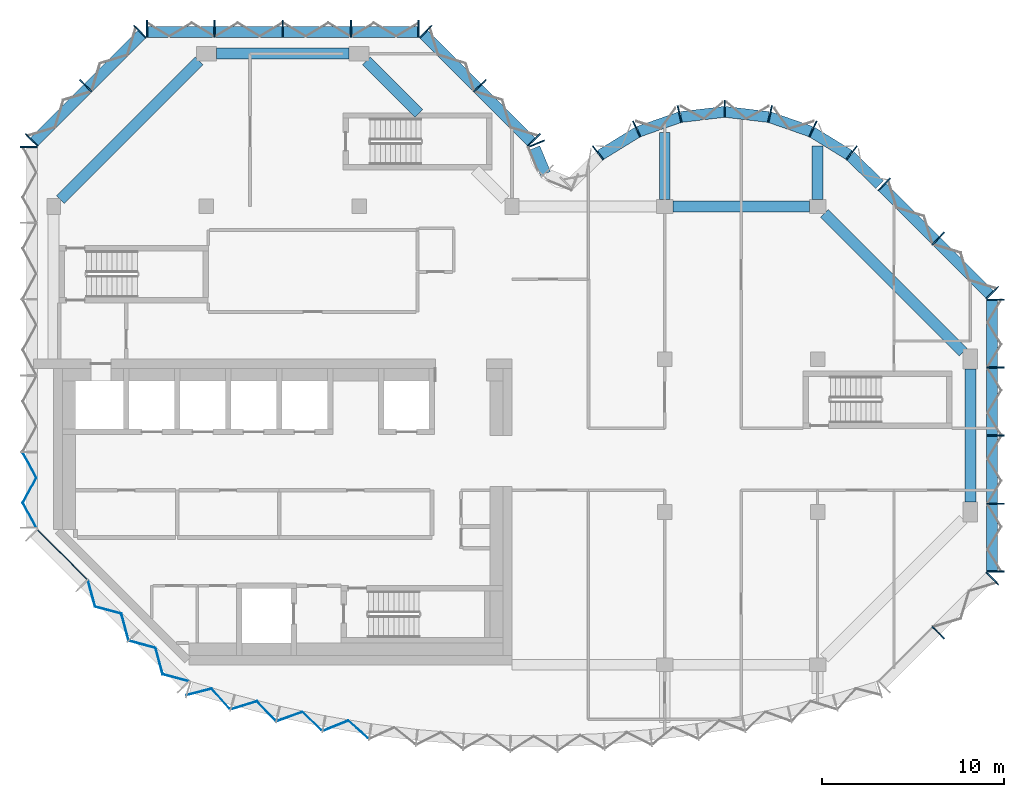
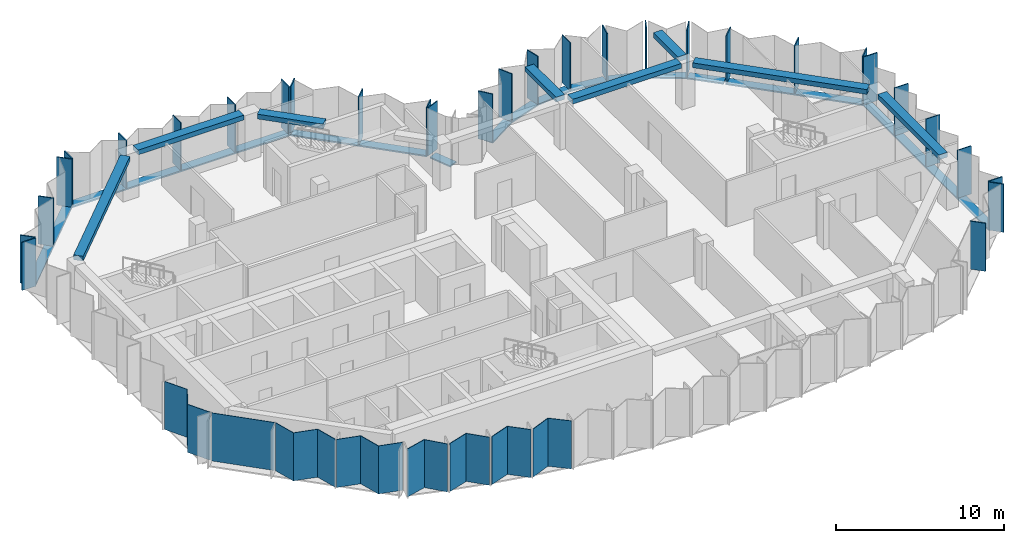
# One storey, part 2 of 9: 43 members, 8 beams, 8 plates, 11 elements without a shape of their own.
"""IFC4 building model written with IfcOpenShell, lengths in metres."""

from ifc_helpers import new_model, si_unit, direction, frame, origin, origin_2d, place, context, subcontext, project, spatial, polyline, rectangle, outline, extrude, material, layer, layer_set, material_profile, profile_set, type_object, element, aggregate, save


model = new_model("IFC4")

# Units and contexts
model_context = context("Model", 3, precision=1e-05, world=origin(), true_north=direction((0.0, 1.0)))
body_context = subcontext(model_context, "Body", "Model", "MODEL_VIEW")
ifc_project = project(units=[si_unit("LENGTHUNIT", "METRE"), si_unit("AREAUNIT", "SQUARE_METRE"), si_unit("VOLUMEUNIT", "CUBIC_METRE"), si_unit("PLANEANGLEUNIT", "RADIAN"), si_unit("MASSUNIT", "GRAM", prefix="KILO")], contexts=[model_context])

# Site, building, storey
site_placement = place(None, origin())
site = spatial("IfcSite", under=ifc_project, at=site_placement, CompositionType="ELEMENT")
building_placement = place(site_placement, origin())
building = spatial("IfcBuilding", under=site, at=building_placement, Name="Brevane Broadcast Tower", CompositionType="ELEMENT")
storey_placement = place(building_placement, frame((0.0, 0.0, 215.699951171875)))
storey = spatial("IfcBuildingStorey", under=building, at=storey_placement, Name="L54", CompositionType="ELEMENT", Elevation=215.699951171875)

# Curtain wall, members
ifc_material_1 = material(Name="Aluminium 6063-T6 bronze anodised", Category="aluminium")
curtain_wall_type = type_object("IfcCurtainWallType", Name="CW-1 curtain wall", PredefinedType="NOTDEFINED", material=ifc_material_1)
curtain_wall_1_placement = place(storey_placement, origin())
curtain_wall_1 = element("IfcCurtainWall", 1, at=curtain_wall_1_placement, inside=storey, type_object=curtain_wall_type, Name="CW-1 typical tilted unit L54 south-east chamfer", PredefinedType="NOTDEFINED")
ifc_material_profile_1 = material_profile(ifc_material_1, rectangle(XDim=0.949951171875, YDim=0.070068359375, at=origin_2d()), Name="RECT 70x950")
ifc_profile_set_1 = profile_set([ifc_material_profile_1], Name="Aluminium 6063-T6 bronze anodised")
member_type_1 = type_object("IfcMemberType", Name="CW-1 mullion 70x950", PredefinedType="MULLION", material=ifc_profile_set_1)
member_1_placement = place(storey_placement, frame((48.635986328125, 1.76416015625, -0.14990234375), z_axis=(0.0, 0.0, 1.0), x_axis=(-0.707106781187, 0.707106781187, 0.0)))
member_1 = element("IfcMember", 2, at=member_1_placement, type_object=member_type_1, Name="CW-1 mullion", PredefinedType="MULLION", context=body_context, shape_type="SweptSolid", body=[
    extrude(rectangle(XDim=0.949951171875, YDim=0.070068359375, at=origin_2d()), origin(), (0.0, 0.0, 1.0), 3.5),
])
member_2_placement = place(storey_placement, frame((51.611083984375, 4.7392578125, -0.14990234375), z_axis=(0.0, 0.0, 1.0), x_axis=(-0.707106781187, 0.707106781187, 0.0)))
member_2 = element("IfcMember", 3, at=member_2_placement, type_object=member_type_1, Name="CW-1 mullion", PredefinedType="MULLION", context=body_context, shape_type="SweptSolid", body=[
    extrude(rectangle(XDim=0.949951171875, YDim=0.070068359375, at=origin_2d()), origin(), (0.0, 0.0, 1.0), 3.5),
])
aggregate(curtain_wall_1, [member_1, member_2])

curtain_wall_2_placement = place(storey_placement, origin())
curtain_wall_2 = element("IfcCurtainWall", 4, at=curtain_wall_2_placement, inside=storey, type_object=curtain_wall_type, Name="CW-1 typical tilted unit L54 east end", PredefinedType="NOTDEFINED")
member_3_placement = place(storey_placement, frame((51.77490234375, 5.135009765625, -0.14990234375), z_axis=(0.0, 0.0, 1.0), x_axis=(-1.0, 0.0, 0.0)))
member_3 = element("IfcMember", 5, at=member_3_placement, type_object=member_type_1, Name="CW-1 mullion", PredefinedType="MULLION", context=body_context, shape_type="SweptSolid", body=[
    extrude(rectangle(XDim=0.949951171875, YDim=0.070068359375, at=origin_2d()), origin(), (0.0, 0.0, 1.0), 3.5),
])
member_4_placement = place(storey_placement, frame((51.77490234375, 8.85009765625, -0.14990234375), z_axis=(0.0, 0.0, 1.0), x_axis=(-1.0, 0.0, 0.0)))
member_4 = element("IfcMember", 6, at=member_4_placement, type_object=member_type_1, Name="CW-1 mullion", PredefinedType="MULLION", context=body_context, shape_type="SweptSolid", body=[
    extrude(rectangle(XDim=0.949951171875, YDim=0.070068359375, at=origin_2d()), origin(), (0.0, 0.0, 1.0), 3.5),
])
member_5_placement = place(storey_placement, frame((51.77490234375, 12.60009765625, -0.14990234375), z_axis=(0.0, 0.0, 1.0), x_axis=(-1.0, 0.0, 0.0)))
member_5 = element("IfcMember", 7, at=member_5_placement, type_object=member_type_1, Name="CW-1 mullion", PredefinedType="MULLION", context=body_context, shape_type="SweptSolid", body=[
    extrude(rectangle(XDim=0.949951171875, YDim=0.070068359375, at=origin_2d()), origin(), (0.0, 0.0, 1.0), 3.5),
])
member_6_placement = place(storey_placement, frame((51.77490234375, 16.35009765625, -0.14990234375), z_axis=(0.0, 0.0, 1.0), x_axis=(-1.0, 0.0, 0.0)))
member_6 = element("IfcMember", 8, at=member_6_placement, type_object=member_type_1, Name="CW-1 mullion", PredefinedType="MULLION", context=body_context, shape_type="SweptSolid", body=[
    extrude(rectangle(XDim=0.949951171875, YDim=0.070068359375, at=origin_2d()), origin(), (0.0, 0.0, 1.0), 3.5),
])
member_7_placement = place(storey_placement, frame((51.77490234375, 20.06494140625, -0.14990234375), z_axis=(0.0, 0.0, 1.0), x_axis=(-1.0, 0.0, 0.0)))
member_7 = element("IfcMember", 9, at=member_7_placement, type_object=member_type_1, Name="CW-1 mullion", PredefinedType="MULLION", context=body_context, shape_type="SweptSolid", body=[
    extrude(rectangle(XDim=0.949951171875, YDim=0.070068359375, at=origin_2d()), origin(), (0.0, 0.0, 1.0), 3.5),
])

curtain_wall_3_placement = place(storey_placement, origin())
curtain_wall_3 = element("IfcCurtainWall", 10, at=curtain_wall_3_placement, inside=storey, type_object=curtain_wall_type, Name="CW-1 typical tilted unit L54 north-east chamfer", PredefinedType="NOTDEFINED")
member_8_placement = place(storey_placement, frame((51.611083984375, 20.460693359375, -0.14990234375), z_axis=(0.0, 0.0, 1.0), x_axis=(-0.707106781187, -0.707106781187, 0.0)))
member_8 = element("IfcMember", 11, at=member_8_placement, type_object=member_type_1, Name="CW-1 mullion", PredefinedType="MULLION", context=body_context, shape_type="SweptSolid", body=[
    extrude(rectangle(XDim=0.949951171875, YDim=0.070068359375, at=origin_2d()), origin(), (0.0, 0.0, 1.0), 3.5),
])
member_9_placement = place(storey_placement, frame((48.635986328125, 23.435791015625, -0.14990234375), z_axis=(0.0, 0.0, 1.0), x_axis=(-0.707106781187, -0.707106781187, 0.0)))
member_9 = element("IfcMember", 12, at=member_9_placement, type_object=member_type_1, Name="CW-1 mullion", PredefinedType="MULLION", context=body_context, shape_type="SweptSolid", body=[
    extrude(rectangle(XDim=0.949951171875, YDim=0.070068359375, at=origin_2d()), origin(), (0.0, 0.0, 1.0), 3.5),
])
member_10_placement = place(storey_placement, frame((45.66064453125, 26.4111328125, -0.14990234375), z_axis=(0.0, 0.0, 1.0), x_axis=(-0.707106781187, -0.707106781187, 0.0)))
member_10 = element("IfcMember", 13, at=member_10_placement, type_object=member_type_1, Name="CW-1 mullion", PredefinedType="MULLION", context=body_context, shape_type="SweptSolid", body=[
    extrude(rectangle(XDim=0.949951171875, YDim=0.070068359375, at=origin_2d()), origin(), (0.0, 0.0, 1.0), 3.5),
])

curtain_wall_4_placement = place(storey_placement, origin())
curtain_wall_4 = element("IfcCurtainWall", 14, at=curtain_wall_4_placement, inside=storey, type_object=curtain_wall_type, Name="CW-1 typical tilted unit L54 east bow", PredefinedType="NOTDEFINED")
member_11_placement = place(storey_placement, frame((43.8720703125, 28.1455078125, -0.14990234375), z_axis=(0.0, 0.0, 1.0), x_axis=(-0.614769698862, -0.788706673841, 0.0)))
member_11 = element("IfcMember", 15, at=member_11_placement, type_object=member_type_1, Name="CW-1 mullion", PredefinedType="MULLION", context=body_context, shape_type="SweptSolid", body=[
    extrude(rectangle(XDim=0.949951171875, YDim=0.070068359375, at=origin_2d()), origin(), (0.0, 0.0, 1.0), 3.5),
])
member_12_placement = place(storey_placement, frame((41.746826171875, 29.4580078125, -0.14990234375), z_axis=(0.0, 0.0, 1.0), x_axis=(-0.429933580394, -0.902860518823, 0.0)))
member_12 = element("IfcMember", 16, at=member_12_placement, type_object=member_type_1, Name="CW-1 mullion", PredefinedType="MULLION", context=body_context, shape_type="SweptSolid", body=[
    extrude(rectangle(XDim=0.949951171875, YDim=0.070068359375, at=origin_2d()), origin(), (0.0, 0.0, 1.0), 3.5),
])
member_13_placement = place(storey_placement, frame((39.38818359375, 30.28076171875, -0.14990234375), z_axis=(0.0, 0.0, 1.0), x_axis=(-0.224806535479, -0.974403418306, 0.0)))
member_13 = element("IfcMember", 17, at=member_13_placement, type_object=member_type_1, Name="CW-1 mullion", PredefinedType="MULLION", context=body_context, shape_type="SweptSolid", body=[
    extrude(rectangle(XDim=0.949951171875, YDim=0.070068359375, at=origin_2d()), origin(), (0.0, 0.0, 1.0), 3.5),
])
member_14_placement = place(storey_placement, frame((36.89990234375, 30.574951171875, -0.14990234375), z_axis=(0.0, 0.0, 1.0), x_axis=(0.0, -1.0, 0.0)))
member_14 = element("IfcMember", 18, at=member_14_placement, type_object=member_type_1, Name="CW-1 mullion", PredefinedType="MULLION", context=body_context, shape_type="SweptSolid", body=[
    extrude(rectangle(XDim=0.949951171875, YDim=0.070068359375, at=origin_2d()), origin(), (0.0, 0.0, 1.0), 3.5),
])
member_15_placement = place(storey_placement, frame((34.411865234375, 30.28076171875, -0.14990234375), z_axis=(0.0, 0.0, 1.0), x_axis=(0.224806535479, -0.974403418306, 0.0)))
member_15 = element("IfcMember", 19, at=member_15_placement, type_object=member_type_1, Name="CW-1 mullion", PredefinedType="MULLION", context=body_context, shape_type="SweptSolid", body=[
    extrude(rectangle(XDim=0.949951171875, YDim=0.070068359375, at=origin_2d()), origin(), (0.0, 0.0, 1.0), 3.5),
])
member_16_placement = place(storey_placement, frame((32.05322265625, 29.4580078125, -0.14990234375), z_axis=(0.0, 0.0, 1.0), x_axis=(0.429933580394, -0.902860518823, 0.0)))
member_16 = element("IfcMember", 20, at=member_16_placement, type_object=member_type_1, Name="CW-1 mullion", PredefinedType="MULLION", context=body_context, shape_type="SweptSolid", body=[
    extrude(rectangle(XDim=0.949951171875, YDim=0.070068359375, at=origin_2d()), origin(), (0.0, 0.0, 1.0), 3.5),
])
member_17_placement = place(storey_placement, frame((29.927978515625, 28.1455078125, -0.14990234375), z_axis=(0.0, 0.0, 1.0), x_axis=(0.614769698862, -0.788706673841, 0.0)))
member_17 = element("IfcMember", 21, at=member_17_placement, type_object=member_type_1, Name="CW-1 mullion", PredefinedType="MULLION", context=body_context, shape_type="SweptSolid", body=[
    extrude(rectangle(XDim=0.949951171875, YDim=0.070068359375, at=origin_2d()), origin(), (0.0, 0.0, 1.0), 3.5),
])

# Curtain wall, member
curtain_wall_5_placement = place(storey_placement, origin())
curtain_wall_5 = element("IfcCurtainWall", 22, at=curtain_wall_5_placement, inside=storey, type_object=curtain_wall_type, Name="CW-1 typical tilted unit L54 inner corner", PredefinedType="NOTDEFINED")
member_18_placement = place(storey_placement, frame((26.55224609375, 28.6494140625, -0.14990234375), z_axis=(0.0, 0.0, 1.0), x_axis=(-0.923879532511, -0.382683432365, 0.0)))
member_18 = element("IfcMember", 23, at=member_18_placement, type_object=member_type_1, Name="CW-1 mullion", PredefinedType="MULLION", context=body_context, shape_type="SweptSolid", body=[
    extrude(rectangle(XDim=0.949951171875, YDim=0.070068359375, at=origin_2d()), origin(), (0.0, 0.0, 1.0), 3.5),
])

# Curtain wall, members
curtain_wall_6_placement = place(storey_placement, origin())
curtain_wall_6 = element("IfcCurtainWall", 24, at=curtain_wall_6_placement, inside=storey, type_object=curtain_wall_type, Name="CW-1 typical tilted unit L54 north arm north-east chamfer", PredefinedType="NOTDEFINED")
member_19_placement = place(storey_placement, frame((26.4111328125, 28.860595703125, -0.14990234375), z_axis=(0.0, 0.0, 1.0), x_axis=(-0.707106781187, -0.707106781187, 0.0)))
member_19 = element("IfcMember", 25, at=member_19_placement, type_object=member_type_1, Name="CW-1 mullion", PredefinedType="MULLION", context=body_context, shape_type="SweptSolid", body=[
    extrude(rectangle(XDim=0.949951171875, YDim=0.070068359375, at=origin_2d()), origin(), (0.0, 0.0, 1.0), 3.5),
])
member_20_placement = place(storey_placement, frame((23.435791015625, 31.8359375, -0.14990234375), z_axis=(0.0, 0.0, 1.0), x_axis=(-0.707106781187, -0.707106781187, 0.0)))
member_20 = element("IfcMember", 26, at=member_20_placement, type_object=member_type_1, Name="CW-1 mullion", PredefinedType="MULLION", context=body_context, shape_type="SweptSolid", body=[
    extrude(rectangle(XDim=0.949951171875, YDim=0.070068359375, at=origin_2d()), origin(), (0.0, 0.0, 1.0), 3.5),
])
member_21_placement = place(storey_placement, frame((20.460693359375, 34.81103515625, -0.14990234375), z_axis=(0.0, 0.0, 1.0), x_axis=(-0.707106781187, -0.707106781187, 0.0)))
member_21 = element("IfcMember", 27, at=member_21_placement, type_object=member_type_1, Name="CW-1 mullion", PredefinedType="MULLION", context=body_context, shape_type="SweptSolid", body=[
    extrude(rectangle(XDim=0.949951171875, YDim=0.070068359375, at=origin_2d()), origin(), (0.0, 0.0, 1.0), 3.5),
])

curtain_wall_7_placement = place(storey_placement, origin())
curtain_wall_7 = element("IfcCurtainWall", 28, at=curtain_wall_7_placement, inside=storey, type_object=curtain_wall_type, Name="CW-1 typical tilted unit L54 north end", PredefinedType="NOTDEFINED")
member_22_placement = place(storey_placement, frame((20.06494140625, 34.97509765625, -0.14990234375), z_axis=(0.0, 0.0, 1.0), x_axis=(0.0, -1.0, 0.0)))
member_22 = element("IfcMember", 29, at=member_22_placement, type_object=member_type_1, Name="CW-1 mullion", PredefinedType="MULLION", context=body_context, shape_type="SweptSolid", body=[
    extrude(rectangle(XDim=0.949951171875, YDim=0.070068359375, at=origin_2d()), origin(), (0.0, 0.0, 1.0), 3.5),
])
member_23_placement = place(storey_placement, frame((16.35009765625, 34.97509765625, -0.14990234375), z_axis=(0.0, 0.0, 1.0), x_axis=(0.0, -1.0, 0.0)))
member_23 = element("IfcMember", 30, at=member_23_placement, type_object=member_type_1, Name="CW-1 mullion", PredefinedType="MULLION", context=body_context, shape_type="SweptSolid", body=[
    extrude(rectangle(XDim=0.949951171875, YDim=0.070068359375, at=origin_2d()), origin(), (0.0, 0.0, 1.0), 3.5),
])
member_24_placement = place(storey_placement, frame((12.60009765625, 34.97509765625, -0.14990234375), z_axis=(0.0, 0.0, 1.0), x_axis=(0.0, -1.0, 0.0)))
member_24 = element("IfcMember", 31, at=member_24_placement, type_object=member_type_1, Name="CW-1 mullion", PredefinedType="MULLION", context=body_context, shape_type="SweptSolid", body=[
    extrude(rectangle(XDim=0.949951171875, YDim=0.070068359375, at=origin_2d()), origin(), (0.0, 0.0, 1.0), 3.5),
])
member_25_placement = place(storey_placement, frame((8.85009765625, 34.97509765625, -0.14990234375), z_axis=(0.0, 0.0, 1.0), x_axis=(0.0, -1.0, 0.0)))
member_25 = element("IfcMember", 32, at=member_25_placement, type_object=member_type_1, Name="CW-1 mullion", PredefinedType="MULLION", context=body_context, shape_type="SweptSolid", body=[
    extrude(rectangle(XDim=0.949951171875, YDim=0.070068359375, at=origin_2d()), origin(), (0.0, 0.0, 1.0), 3.5),
])
member_26_placement = place(storey_placement, frame((5.135009765625, 34.97509765625, -0.14990234375), z_axis=(0.0, 0.0, 1.0), x_axis=(0.0, -1.0, 0.0)))
member_26 = element("IfcMember", 33, at=member_26_placement, type_object=member_type_1, Name="CW-1 mullion", PredefinedType="MULLION", context=body_context, shape_type="SweptSolid", body=[
    extrude(rectangle(XDim=0.949951171875, YDim=0.070068359375, at=origin_2d()), origin(), (0.0, 0.0, 1.0), 3.5),
])

curtain_wall_8_placement = place(storey_placement, origin())
curtain_wall_8 = element("IfcCurtainWall", 34, at=curtain_wall_8_placement, inside=storey, type_object=curtain_wall_type, Name="CW-1 typical tilted unit L54 north-west chamfer", PredefinedType="NOTDEFINED")
member_27_placement = place(storey_placement, frame((4.7392578125, 34.81103515625, -0.14990234375), z_axis=(0.0, 0.0, 1.0), x_axis=(0.707106781187, -0.707106781187, 0.0)))
member_27 = element("IfcMember", 35, at=member_27_placement, type_object=member_type_1, Name="CW-1 mullion", PredefinedType="MULLION", context=body_context, shape_type="SweptSolid", body=[
    extrude(rectangle(XDim=0.949951171875, YDim=0.070068359375, at=origin_2d()), origin(), (0.0, 0.0, 1.0), 3.5),
])
member_28_placement = place(storey_placement, frame((1.76416015625, 31.8359375, -0.14990234375), z_axis=(0.0, 0.0, 1.0), x_axis=(0.707106781187, -0.707106781187, 0.0)))
member_28 = element("IfcMember", 36, at=member_28_placement, type_object=member_type_1, Name="CW-1 mullion", PredefinedType="MULLION", context=body_context, shape_type="SweptSolid", body=[
    extrude(rectangle(XDim=0.949951171875, YDim=0.070068359375, at=origin_2d()), origin(), (0.0, 0.0, 1.0), 3.5),
])
member_29_placement = place(storey_placement, frame((-1.211181640625, 28.860595703125, -0.14990234375), z_axis=(0.0, 0.0, 1.0), x_axis=(0.707106781187, -0.707106781187, 0.0)))
member_29 = element("IfcMember", 37, at=member_29_placement, type_object=member_type_1, Name="CW-1 mullion", PredefinedType="MULLION", context=body_context, shape_type="SweptSolid", body=[
    extrude(rectangle(XDim=0.949951171875, YDim=0.070068359375, at=origin_2d()), origin(), (0.0, 0.0, 1.0), 3.5),
])

# Curtain wall, member
curtain_wall_9_placement = place(storey_placement, origin())
curtain_wall_9 = element("IfcCurtainWall", 38, at=curtain_wall_9_placement, inside=storey, type_object=curtain_wall_type, Name="CW-1 typical tilted unit L54 west face", PredefinedType="NOTDEFINED")
member_30_placement = place(storey_placement, frame((-1.375, 28.465087890625, -0.14990234375), z_axis=(0.0, 0.0, 1.0), x_axis=(1.0, 0.0, 0.0)))
member_30 = element("IfcMember", 39, at=member_30_placement, type_object=member_type_1, Name="CW-1 mullion", PredefinedType="MULLION", context=body_context, shape_type="SweptSolid", body=[
    extrude(rectangle(XDim=0.949951171875, YDim=0.070068359375, at=origin_2d()), origin(), (0.0, 0.0, 1.0), 3.5),
])

# Member
ifc_material_profile_2 = material_profile(ifc_material_1, rectangle(XDim=0.60009765625, YDim=0.10009765625, at=origin_2d()), Name="RECT 100x600")
ifc_profile_set_2 = profile_set([ifc_material_profile_2], Name="Aluminium 6063-T6 bronze anodised")
member_type_2 = type_object("IfcMemberType", Name="CW-1 transom 100x600", PredefinedType="USERDEFINED", material=ifc_profile_set_2)
member_31_placement = place(storey_placement, frame((51.60009765625, 5.10009765625, -0.199951171875), z_axis=(0.0, 1.0, 0.0), x_axis=(-1.0, 0.0, 0.0)))
member_31 = element("IfcMember", 40, at=member_31_placement, type_object=member_type_2, Name="CW-1 transom", ObjectType="TRANSOM", PredefinedType="USERDEFINED", context=body_context, shape_type="SweptSolid", body=[
    extrude(rectangle(XDim=0.60009765625, YDim=0.10009765625, at=origin_2d()), origin(), (0.0, 0.0, 1.0), 15.0),
])

aggregate(curtain_wall_2, [member_3, member_4, member_5, member_6, member_7, member_31])

member_32_placement = place(storey_placement, frame((51.51220703125, 20.31201171875, -0.199951171875), z_axis=(-0.707106781187, 0.707106781187, 0.0), x_axis=(-0.707106781187, -0.707106781187, 0.0)))
member_32 = element("IfcMember", 41, at=member_32_placement, type_object=member_type_2, Name="CW-1 transom", ObjectType="TRANSOM", PredefinedType="USERDEFINED", context=body_context, shape_type="SweptSolid", body=[
    extrude(rectangle(XDim=0.60009765625, YDim=0.10009765625, at=origin_2d()), origin(), (0.0, 0.0, 1.0), 8.4853515625),
])

aggregate(curtain_wall_3, [member_8, member_9, member_10, member_32])

member_33_placement = place(storey_placement, frame((45.412841796875, 26.407958984375, -0.199951171875), z_axis=(-0.71724215871, 0.696823999134, 0.0), x_axis=(-0.696823999134, -0.71724215871, 0.0)))
member_33 = element("IfcMember", 42, at=member_33_placement, type_object=member_type_2, Name="CW-1 transom", ObjectType="TRANSOM", PredefinedType="USERDEFINED", context=body_context, shape_type="SweptSolid", body=[
    extrude(rectangle(XDim=0.60009765625, YDim=0.10009765625, at=origin_2d()), origin(), (0.0, 0.0, 1.0), 2.247802734375),
])

member_34_placement = place(storey_placement, frame((43.7421875, 28.023193359375, -0.199951171875), z_axis=(-0.850810063131, 0.525473345162, 0.0), x_axis=(-0.525473345162, -0.850810063131, 0.0)))
member_34 = element("IfcMember", 43, at=member_34_placement, type_object=member_type_2, Name="CW-1 transom", ObjectType="TRANSOM", PredefinedType="USERDEFINED", context=body_context, shape_type="SweptSolid", body=[
    extrude(rectangle(XDim=0.60009765625, YDim=0.10009765625, at=origin_2d()), origin(), (0.0, 0.0, 1.0), 2.39453125),
])

member_35_placement = place(storey_placement, frame((41.63623046875, 29.314208984375, -0.199951171875), z_axis=(-0.944197969542, 0.329378497041, 0.0), x_axis=(-0.329378497041, -0.944197969542, 0.0)))
member_35 = element("IfcMember", 44, at=member_35_placement, type_object=member_type_2, Name="CW-1 transom", ObjectType="TRANSOM", PredefinedType="USERDEFINED", context=body_context, shape_type="SweptSolid", body=[
    extrude(rectangle(XDim=0.60009765625, YDim=0.10009765625, at=origin_2d()), origin(), (0.0, 0.0, 1.0), 2.394775390625),
])

member_36_placement = place(storey_placement, frame((39.30029296875, 30.117431640625, -0.199951171875), z_axis=(-0.993062061831, 0.117591417, 0.0), x_axis=(-0.117591417, -0.993062061831, 0.0)))
member_36 = element("IfcMember", 45, at=member_36_placement, type_object=member_type_2, Name="CW-1 transom", ObjectType="TRANSOM", PredefinedType="USERDEFINED", context=body_context, shape_type="SweptSolid", body=[
    extrude(rectangle(XDim=0.60009765625, YDim=0.10009765625, at=origin_2d()), origin(), (0.0, 0.0, 1.0), 2.39794921875),
])

member_37_placement = place(storey_placement, frame((36.880859375, 30.3994140625, -0.199951171875), z_axis=(-0.993060653805, -0.117603307202, 0.0), x_axis=(0.117603307202, -0.993060653805, 0.0)))
member_37 = element("IfcMember", 46, at=member_37_placement, type_object=member_type_2, Name="CW-1 transom", ObjectType="TRANSOM", PredefinedType="USERDEFINED", context=body_context, shape_type="SweptSolid", body=[
    extrude(rectangle(XDim=0.60009765625, YDim=0.10009765625, at=origin_2d()), origin(), (0.0, 0.0, 1.0), 2.397705078125),
])

member_38_placement = place(storey_placement, frame((34.425048828125, 30.10302734375, -0.199951171875), z_axis=(-0.944197969542, -0.329378497041, 0.0), x_axis=(0.329378497041, -0.944197969542, 0.0)))
member_38 = element("IfcMember", 47, at=member_38_placement, type_object=member_type_2, Name="CW-1 transom", ObjectType="TRANSOM", PredefinedType="USERDEFINED", context=body_context, shape_type="SweptSolid", body=[
    extrude(rectangle(XDim=0.60009765625, YDim=0.10009765625, at=origin_2d()), origin(), (0.0, 0.0, 1.0), 2.394775390625),
])

member_39_placement = place(storey_placement, frame((32.09521484375, 29.281494140625, -0.199951171875), z_axis=(-0.850838211365, -0.525427766759, 0.0), x_axis=(0.525427766759, -0.850838211365, 0.0)))
member_39 = element("IfcMember", 48, at=member_39_placement, type_object=member_type_2, Name="CW-1 transom", ObjectType="TRANSOM", PredefinedType="USERDEFINED", context=body_context, shape_type="SweptSolid", body=[
    extrude(rectangle(XDim=0.60009765625, YDim=0.10009765625, at=origin_2d()), origin(), (0.0, 0.0, 1.0), 2.394775390625),
])

aggregate(curtain_wall_4, [member_11, member_12, member_13, member_14, member_15, member_16, member_17, member_33, member_34, member_35, member_36, member_37, member_38, member_39])

member_40_placement = place(storey_placement, frame((27.039794921875, 27.0, -0.199951171875), z_axis=(-0.382674472816, 0.923883243627, 0.0), x_axis=(-0.923883243627, -0.382674472816, 0.0)))
member_40 = element("IfcMember", 49, at=member_40_placement, type_object=member_type_2, Name="CW-1 transom", ObjectType="TRANSOM", PredefinedType="USERDEFINED", context=body_context, shape_type="SweptSolid", body=[
    extrude(rectangle(XDim=0.60009765625, YDim=0.10009765625, at=origin_2d()), origin(), (0.0, 0.0, 1.0), 1.536865234375),
])

aggregate(curtain_wall_5, [member_18, member_40])

member_41_placement = place(storey_placement, frame((26.31201171875, 28.712158203125, -0.199951171875), z_axis=(-0.707106781187, 0.707106781187, 0.0), x_axis=(-0.707106781187, -0.707106781187, 0.0)))
member_41 = element("IfcMember", 50, at=member_41_placement, type_object=member_type_2, Name="CW-1 transom", ObjectType="TRANSOM", PredefinedType="USERDEFINED", context=body_context, shape_type="SweptSolid", body=[
    extrude(rectangle(XDim=0.60009765625, YDim=0.10009765625, at=origin_2d()), origin(), (0.0, 0.0, 1.0), 8.4853515625),
])

aggregate(curtain_wall_6, [member_19, member_20, member_21, member_41])

member_42_placement = place(storey_placement, frame((20.10009765625, 34.800048828125, -0.199951171875), z_axis=(-1.0, 0.0, 0.0), x_axis=(0.0, -1.0, 0.0)))
member_42 = element("IfcMember", 51, at=member_42_placement, type_object=member_type_2, Name="CW-1 transom", ObjectType="TRANSOM", PredefinedType="USERDEFINED", context=body_context, shape_type="SweptSolid", body=[
    extrude(rectangle(XDim=0.60009765625, YDim=0.10009765625, at=origin_2d()), origin(), (0.0, 0.0, 1.0), 15.0),
])

aggregate(curtain_wall_7, [member_22, member_23, member_24, member_25, member_26, member_42])

member_43_placement = place(storey_placement, frame((4.887939453125, 34.712158203125, -0.199951171875), z_axis=(-0.707106781187, -0.707106781187, 0.0), x_axis=(0.707106781187, -0.707106781187, 0.0)))
member_43 = element("IfcMember", 52, at=member_43_placement, type_object=member_type_2, Name="CW-1 transom", ObjectType="TRANSOM", PredefinedType="USERDEFINED", context=body_context, shape_type="SweptSolid", body=[
    extrude(rectangle(XDim=0.60009765625, YDim=0.10009765625, at=origin_2d()), origin(), (0.0, 0.0, 1.0), 8.4853515625),
])

aggregate(curtain_wall_8, [member_27, member_28, member_29, member_43])

# Beams
ifc_material_2 = material(Name="Concrete C40/50", Category="concrete")
ifc_material_profile_3 = material_profile(ifc_material_2, rectangle(XDim=0.60009765625, YDim=0.35009765625, at=origin_2d()), Name="RC 600x350")
ifc_profile_set_3 = profile_set([ifc_material_profile_3], Name="Concrete C40/50")
beam_type_1 = type_object("IfcBeamType", Name="RC BRACKET BEAM 600x350 C40/50", PredefinedType="BEAM", material=ifc_profile_set_3)
beam_1_placement = place(storey_placement, frame((33.60009765625, 25.574951171875, 3.175048828125), z_axis=(0.0, 1.0, 0.0), x_axis=(-1.0, 0.0, 0.0)))
element("IfcBeam", 53, at=beam_1_placement, inside=storey, type_object=beam_type_1, Name="EB2 L54-2", PredefinedType="BEAM", context=body_context, shape_type="SweptSolid", body=[
    extrude(rectangle(XDim=0.60009765625, YDim=0.35009765625, at=origin_2d()), origin(), (0.0, 0.0, 1.0), 3.68701171875),
])
beam_2_placement = place(storey_placement, frame((42.0, 25.574951171875, 3.175048828125), z_axis=(0.0, 1.0, 0.0), x_axis=(-1.0, 0.0, 0.0)))
element("IfcBeam", 54, at=beam_2_placement, inside=storey, type_object=beam_type_1, Name="EB2 L54-4", PredefinedType="BEAM", context=body_context, shape_type="SweptSolid", body=[
    extrude(rectangle(XDim=0.60009765625, YDim=0.35009765625, at=origin_2d()), origin(), (0.0, 0.0, 1.0), 2.9365234375),
])
ifc_material_profile_4 = material_profile(ifc_material_2, rectangle(XDim=0.60009765625, YDim=0.35009765625, at=origin_2d()), Name="RC 600x350")
ifc_profile_set_4 = profile_set([ifc_material_profile_4], Name="Concrete C40/50")
beam_type_2 = type_object("IfcBeamType", Name="RC SPANDREL BEAM 600x350 C40/50", PredefinedType="SPANDREL", material=ifc_profile_set_4)
beam_3_placement = place(storey_placement, frame((50.39990234375, 8.949951171875, 3.175048828125), z_axis=(0.0, 1.0, 0.0), x_axis=(-1.0, 0.0, 0.0)))
element("IfcBeam", 55, at=beam_3_placement, inside=storey, type_object=beam_type_2, Name="EB1 L54-4", PredefinedType="SPANDREL", context=body_context, shape_type="SweptSolid", body=[
    extrude(rectangle(XDim=0.60009765625, YDim=0.35009765625, at=origin_2d()), origin(), (0.0, 0.0, 1.0), 7.300048828125),
])
beam_4_placement = place(storey_placement, frame((50.0, 17.199951171875, 3.175048828125), z_axis=(-0.707106781187, 0.707106781187, 0.0), x_axis=(-0.707106781187, -0.707106781187, 0.0)))
element("IfcBeam", 56, at=beam_4_placement, inside=storey, type_object=beam_type_2, Name="EB1 L54-5", PredefinedType="SPANDREL", context=body_context, shape_type="SweptSolid", body=[
    extrude(rectangle(XDim=0.60009765625, YDim=0.35009765625, at=origin_2d()), origin(), (0.0, 0.0, 1.0), 10.783447265625),
])
beam_5_placement = place(storey_placement, frame((41.550048828125, 25.199951171875, 3.175048828125), z_axis=(-1.0, 0.0, 0.0), x_axis=(0.0, -1.0, 0.0)))
element("IfcBeam", 57, at=beam_5_placement, inside=storey, type_object=beam_type_2, Name="EB1 L54-6", PredefinedType="SPANDREL", context=body_context, shape_type="SweptSolid", body=[
    extrude(rectangle(XDim=0.60009765625, YDim=0.35009765625, at=origin_2d()), origin(), (0.0, 0.0, 1.0), 7.5),
])
beam_6_placement = place(storey_placement, frame((20.080078125, 30.320068359375, 3.175048828125), z_axis=(-0.707136751593, 0.70707680951, 0.0), x_axis=(-0.70707680951, -0.707136751593, 0.0)))
element("IfcBeam", 58, at=beam_6_placement, inside=storey, type_object=beam_type_2, Name="EB1 L54-12", PredefinedType="SPANDREL", context=body_context, shape_type="SweptSolid", body=[
    extrude(rectangle(XDim=0.60009765625, YDim=0.35009765625, at=origin_2d()), origin(), (0.0, 0.0, 1.0), 4.072998046875),
])
beam_7_placement = place(storey_placement, frame((16.25, 33.60009765625, 3.175048828125), z_axis=(-1.0, 0.0, 0.0), x_axis=(0.0, -1.0, 0.0)))
element("IfcBeam", 59, at=beam_7_placement, inside=storey, type_object=beam_type_2, Name="EB1 L54-9", PredefinedType="SPANDREL", context=body_context, shape_type="SweptSolid", body=[
    extrude(rectangle(XDim=0.60009765625, YDim=0.35009765625, at=origin_2d()), origin(), (0.0, 0.0, 1.0), 7.300048828125),
])
beam_8_placement = place(storey_placement, frame((8.0, 33.199951171875, 3.175048828125), z_axis=(-0.707106781187, -0.707106781187, 0.0), x_axis=(0.707106781187, -0.707106781187, 0.0)))
element("IfcBeam", 60, at=beam_8_placement, inside=storey, type_object=beam_type_2, Name="EB1 L54-10", PredefinedType="SPANDREL", context=body_context, shape_type="SweptSolid", body=[
    extrude(rectangle(XDim=0.60009765625, YDim=0.35009765625, at=origin_2d()), origin(), (0.0, 0.0, 1.0), 10.783447265625),
])

# Curtain wall, plates
curtain_wall_10_placement = place(storey_placement, origin())
curtain_wall_10 = element("IfcCurtainWall", 61, at=curtain_wall_10_placement, inside=storey, type_object=curtain_wall_type, Name="CW-1 typical tilted unit L54 south bow", PredefinedType="NOTDEFINED")
ifc_material_3 = material(Name="Laminated glass bronze-tinted", Category="glass")
ifc_layer = layer(ifc_material_3, 0.0400390625)
ifc_layer_set = layer_set([ifc_layer], Name="CW tall glass panel 40")
plate_type = type_object("IfcPlateType", Name="CW tall glass panel 40", PredefinedType="CURTAIN_PANEL", material=ifc_layer_set)
plate_1_placement = place(storey_placement, frame((0.0, 0.0, -0.14990234375)))
plate_1 = element("IfcPlate", 62, at=plate_1_placement, type_object=plate_type, Name="CW-1 glass panel", PredefinedType="CURTAIN_PANEL", context=body_context, shape_type="SweptSolid", body=[
    extrude(outline(polyline([(7.312255859375, -1.643310546875), (7.298583984375, -1.68798828125), (8.68603515625, -1.334716796875), (9.65771484375, -2.421875), (9.670654296875, -2.376220703125), (8.69970703125, -1.289794921875), (7.312255859375, -1.643310546875)])), origin(), (0.0, 0.0, 1.0), 3.5),
])
plate_2_placement = place(storey_placement, frame((0.0, 0.0, -0.14990234375)))
plate_2 = element("IfcPlate", 63, at=plate_2_placement, type_object=plate_type, Name="CW-1 glass panel", PredefinedType="CURTAIN_PANEL", context=body_context, shape_type="SweptSolid", body=[
    extrude(outline(polyline([(9.81494140625, -2.407470703125), (9.80224609375, -2.453369140625), (11.174560546875, -2.030029296875), (12.17236328125, -3.069580078125), (12.18310546875, -3.023193359375), (11.186279296875, -1.984619140625), (9.81494140625, -2.407470703125)])), origin(), (0.0, 0.0, 1.0), 3.5),
])
plate_3_placement = place(storey_placement, frame((0.0, 0.0, -0.14990234375)))
plate_3 = element("IfcPlate", 64, at=plate_3_placement, type_object=plate_type, Name="CW-1 glass panel", PredefinedType="CURTAIN_PANEL", context=body_context, shape_type="SweptSolid", body=[
    extrude(outline(polyline([(12.328125, -3.051513671875), (12.317138671875, -3.09765625), (13.67138671875, -2.615966796875), (14.711669921875, -3.611328125), (14.720458984375, -3.564453125), (13.68115234375, -2.570068359375), (12.328125, -3.051513671875)])), origin(), (0.0, 0.0, 1.0), 3.5),
])
plate_4_placement = place(storey_placement, frame((0.0, 0.0, -0.14990234375)))
plate_4 = element("IfcPlate", 65, at=plate_4_placement, type_object=plate_type, Name="CW-1 glass panel", PredefinedType="CURTAIN_PANEL", context=body_context, shape_type="SweptSolid", body=[
    extrude(outline(polyline([(14.865966796875, -3.58984375), (14.85693359375, -3.63671875), (16.190185546875, -3.09716796875), (17.271240234375, -4.04638671875), (17.2783203125, -3.99951171875), (16.197998046875, -3.05078125), (14.865966796875, -3.58984375)])), origin(), (0.0, 0.0, 1.0), 3.5),
])
aggregate(curtain_wall_10, [plate_1, plate_2, plate_3, plate_4])

# Plate
plate_5_placement = place(storey_placement, frame((0.0, 0.0, -0.14990234375)))
plate_5 = element("IfcPlate", 66, at=plate_5_placement, type_object=plate_type, Name="CW-1 glass panel", PredefinedType="CURTAIN_PANEL", context=body_context, shape_type="SweptSolid", body=[
    extrude(outline(polyline([(-1.671630859375, 11.6650390625), (-1.717041015625, 11.6650390625), (-0.97265625, 10.288330078125), (-1.717041015625, 8.91162109375), (-0.97265625, 7.534912109375), (-0.92724609375, 7.534912109375), (-1.671630859375, 8.91162109375), (-0.92724609375, 10.288330078125), (-1.671630859375, 11.6650390625)])), origin(), (0.0, 0.0, 1.0), 3.5),
])

aggregate(curtain_wall_9, [member_30, plate_5])

# Curtain wall, plates
curtain_wall_11_placement = place(storey_placement, origin())
curtain_wall_11 = element("IfcCurtainWall", 67, at=curtain_wall_11_placement, inside=storey, type_object=curtain_wall_type, Name="CW-1 typical tilted unit L54 south-west chamfer", PredefinedType="NOTDEFINED")
plate_6_placement = place(storey_placement, frame((0.0, 0.0, -0.14990234375)))
plate_6 = element("IfcPlate", 68, at=plate_6_placement, type_object=plate_type, Name="CW-1 glass panel", PredefinedType="CURTAIN_PANEL", context=body_context, shape_type="SweptSolid", body=[
    extrude(outline(polyline([(-0.896484375, 7.4541015625), (1.85400390625, 4.70361328125), (1.82568359375, 4.67529296875), (-0.9248046875, 7.42578125), (-0.896484375, 7.4541015625)])), origin(), (0.0, 0.0, 1.0), 3.5),
])
plate_7_placement = place(storey_placement, frame((0.0, 0.0, -0.14990234375)))
plate_7 = element("IfcPlate", 69, at=plate_7_placement, type_object=plate_type, Name="CW-1 glass panel", PredefinedType="CURTAIN_PANEL", context=body_context, shape_type="SweptSolid", body=[
    extrude(outline(polyline([(1.90576171875, 4.65625), (1.873046875, 4.62353515625), (2.263671875, 3.180419921875), (3.706787109375, 2.789794921875), (4.09716796875, 1.3466796875), (4.1298828125, 1.37939453125), (3.739501953125, 2.822509765625), (2.296142578125, 3.212890625), (1.90576171875, 4.65625)])), origin(), (0.0, 0.0, 1.0), 3.5),
])
plate_8_placement = place(storey_placement, frame((0.0, 0.0, -0.14990234375)))
plate_8 = element("IfcPlate", 70, at=plate_8_placement, type_object=plate_type, Name="CW-1 glass panel", PredefinedType="CURTAIN_PANEL", context=body_context, shape_type="SweptSolid", body=[
    extrude(outline(polyline([(4.17919921875, 1.329833984375), (4.146728515625, 1.297119140625), (5.58984375, 0.90673828125), (5.98046875, -0.536376953125), (7.423583984375, -0.927001953125), (7.456298828125, -0.894287109375), (6.012939453125, -0.50390625), (5.62255859375, 0.939453125), (4.17919921875, 1.329833984375)])), origin(), (0.0, 0.0, 1.0), 3.5),
])
aggregate(curtain_wall_11, [plate_6, plate_7, plate_8])

save(model, "model.ifc")
